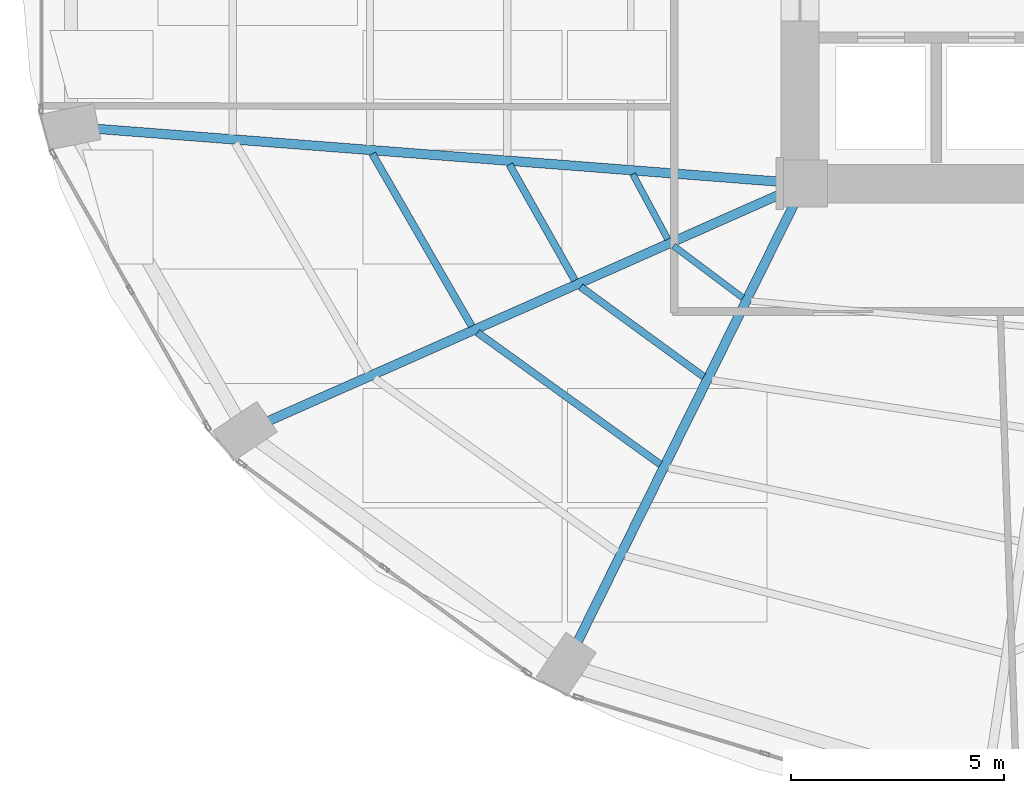
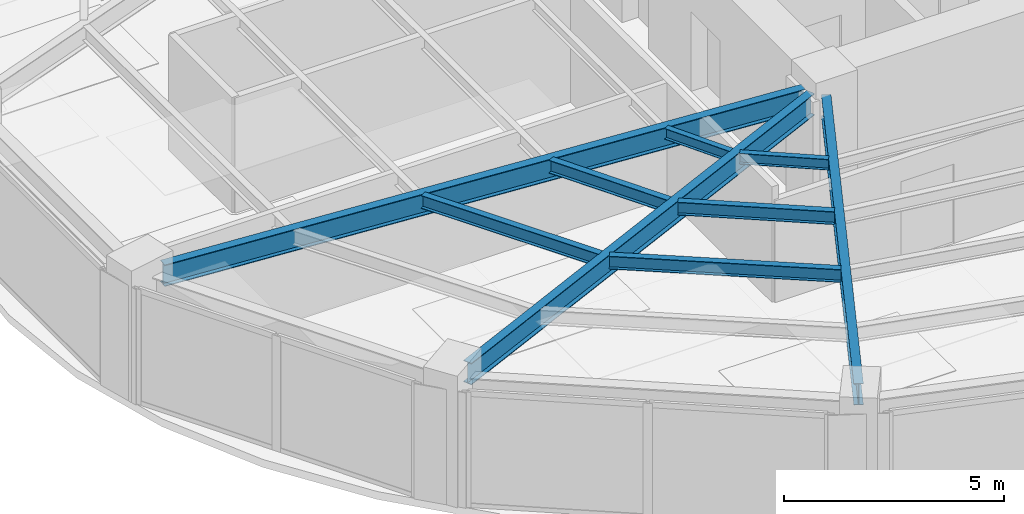
# One storey, part 4 of 24: 9 beams.
"""IFC4 building model written with IfcOpenShell, lengths in metres."""

from ifc_helpers import new_model, si_unit, direction, frame, origin, origin_2d, place, context, subcontext, project, spatial, i_section, extrude, material, material_profile, profile_set, type_object, element, save


model = new_model("IFC4")

# Units and contexts
model_context = context("Model", 3, precision=1e-05, world=origin(), true_north=direction((0.0, 1.0)))
body_context = subcontext(model_context, "Body", "Model", "MODEL_VIEW")
ifc_project = project(units=[si_unit("LENGTHUNIT", "METRE"), si_unit("AREAUNIT", "SQUARE_METRE"), si_unit("VOLUMEUNIT", "CUBIC_METRE"), si_unit("PLANEANGLEUNIT", "RADIAN"), si_unit("MASSUNIT", "GRAM", prefix="KILO")], contexts=[model_context])

# Site, building, storey
site_placement = place(None, origin())
site = spatial("IfcSite", under=ifc_project, at=site_placement, CompositionType="ELEMENT")
building_placement = place(site_placement, origin())
building = spatial("IfcBuilding", under=site, at=building_placement, Name="Lazwardi Medical Tower", CompositionType="ELEMENT")
storey_placement = place(building_placement, frame((0.0, 0.0, 72.6240234375)))
storey = spatial("IfcBuildingStorey", under=building, at=storey_placement, Name="L18", CompositionType="ELEMENT", Elevation=72.6240234375)

# Beams
ifc_material = material(Name="Steel S355", Category="steel")
ifc_material_profile_1 = material_profile(ifc_material, i_section(OverallWidth=0.219970703125, OverallDepth=0.60009765625, WebThickness=0.011962890625, FlangeThickness=0.01904296875, at=origin_2d()), Name="IPE 600")
ifc_profile_set_1 = profile_set([ifc_material_profile_1], Name="Steel S355")
beam_type_1 = type_object("IfcBeamType", Name="BM-RG-W1", PredefinedType="BEAM", material=ifc_profile_set_1)
beam_1_placement = place(storey_placement, frame((9.7783203125, 21.6875, 2.89794921875), z_axis=(0.997013942066, -0.077221754231, 0.0), x_axis=(0.077221754231, 0.997013942066, 0.0)))
element("IfcBeam", 1, at=beam_1_placement, inside=storey, type_object=beam_type_1, Name="Radial girder RG-02 R13 L18", PredefinedType="BEAM", context=body_context, shape_type="SweptSolid", body=[
    extrude(i_section(OverallWidth=0.219970703125, OverallDepth=0.60009765625, WebThickness=0.011962890625, FlangeThickness=0.01904296875, at=origin_2d()), origin(), (0.0, 0.0, 1.0), 16.136474609375),
])
beam_2_placement = place(storey_placement, frame((13.810302734375, 14.82080078125, 2.89794921875), z_axis=(0.914252189566, 0.405145571214, 0.0), x_axis=(-0.405145571214, 0.914252189566, 0.0)))
element("IfcBeam", 2, at=beam_2_placement, inside=storey, type_object=beam_type_1, Name="Radial girder RG-02 R14 L18", PredefinedType="BEAM", context=body_context, shape_type="SweptSolid", body=[
    extrude(i_section(OverallWidth=0.219970703125, OverallDepth=0.60009765625, WebThickness=0.011962890625, FlangeThickness=0.01904296875, at=origin_2d()), origin(), (0.0, 0.0, 1.0), 13.235595703125),
])
beam_3_placement = place(storey_placement, frame((21.076171875, 9.635986328125, 2.89794921875), z_axis=(0.443336723706, 0.896355146922, 0.0), x_axis=(-0.896355146922, 0.443336723706, 0.0)))
element("IfcBeam", 3, at=beam_3_placement, inside=storey, type_object=beam_type_1, Name="Radial girder RG-02 R15 L18", PredefinedType="BEAM", context=body_context, shape_type="SweptSolid", body=[
    extrude(i_section(OverallWidth=0.219970703125, OverallDepth=0.60009765625, WebThickness=0.011962890625, FlangeThickness=0.01904296875, at=origin_2d()), origin(), (0.0, 0.0, 1.0), 11.4736328125),
])
ifc_material_profile_2 = material_profile(ifc_material, i_section(OverallWidth=0.169921875, OverallDepth=0.360107421875, WebThickness=0.008056640625, FlangeThickness=0.0126953125, at=origin_2d()), Name="IPE 360")
ifc_profile_set_2 = profile_set([ifc_material_profile_2], Name="Steel S355")
beam_type_2 = type_object("IfcBeamType", Name="BM-SJ-02", PredefinedType="JOIST", material=ifc_profile_set_2)
beam_4_placement = place(storey_placement, frame((16.26611328125, 21.09814453125, 3.01806640625), z_axis=(0.499785866494, -0.866148998529, 0.0), x_axis=(0.866148998529, 0.499785866494, 0.0)))
element("IfcBeam", 4, at=beam_4_placement, inside=storey, type_object=beam_type_2, Name="Secondary joist SJ-02 R2 B13 L18", PredefinedType="JOIST", context=body_context, shape_type="SweptSolid", body=[
    extrude(i_section(OverallWidth=0.169921875, OverallDepth=0.360107421875, WebThickness=0.008056640625, FlangeThickness=0.0126953125, at=origin_2d()), origin(), (0.0, 0.0, 1.0), 4.666015625),
])
beam_5_placement = place(storey_placement, frame((18.73583984375, 16.904296875, 3.01806640625), z_axis=(0.811142764961, -0.584848198127, 0.0), x_axis=(0.584848198127, 0.811142764961, 0.0)))
element("IfcBeam", 5, at=beam_5_placement, inside=storey, type_object=beam_type_2, Name="Secondary joist SJ-02 R2 B14 L18", PredefinedType="JOIST", context=body_context, shape_type="SweptSolid", body=[
    extrude(i_section(OverallWidth=0.169921875, OverallDepth=0.360107421875, WebThickness=0.008056640625, FlangeThickness=0.0126953125, at=origin_2d()), origin(), (0.0, 0.0, 1.0), 5.28857421875),
])
beam_6_placement = place(storey_placement, frame((19.48291015625, 20.848388671875, 3.01806640625), z_axis=(0.491923287977, -0.870638546554, 0.0), x_axis=(0.870638546554, 0.491923287977, 0.0)))
element("IfcBeam", 6, at=beam_6_placement, inside=storey, type_object=beam_type_2, Name="Secondary joist SJ-02 R3 B13 L18", PredefinedType="JOIST", context=body_context, shape_type="SweptSolid", body=[
    extrude(i_section(OverallWidth=0.169921875, OverallDepth=0.360107421875, WebThickness=0.008056640625, FlangeThickness=0.0126953125, at=origin_2d()), origin(), (0.0, 0.0, 1.0), 3.122802734375),
])
beam_7_placement = place(storey_placement, frame((21.155517578125, 17.976318359375, 3.01806640625), z_axis=(0.80770129933, -0.589591902132, 0.0), x_axis=(0.589591902132, 0.80770129933, 0.0)))
element("IfcBeam", 7, at=beam_7_placement, inside=storey, type_object=beam_type_2, Name="Secondary joist SJ-02 R3 B14 L18", PredefinedType="JOIST", context=body_context, shape_type="SweptSolid", body=[
    extrude(i_section(OverallWidth=0.169921875, OverallDepth=0.360107421875, WebThickness=0.008056640625, FlangeThickness=0.0126953125, at=origin_2d()), origin(), (0.0, 0.0, 1.0), 3.5751953125),
])
ifc_material_profile_3 = material_profile(ifc_material, i_section(OverallWidth=0.14990234375, OverallDepth=0.300048828125, WebThickness=0.007080078125, FlangeThickness=0.0107421875, at=origin_2d()), Name="IPE 300")
ifc_profile_set_3 = profile_set([ifc_material_profile_3], Name="Steel S355")
beam_type_3 = type_object("IfcBeamType", Name="BM-SJ-03", PredefinedType="JOIST", material=ifc_profile_set_3)
beam_8_placement = place(storey_placement, frame((22.376953125, 20.623046875, 3.048095703125), z_axis=(0.473982292828, -0.880534375301, 0.0), x_axis=(0.880534375301, 0.473982292828, 0.0)))
element("IfcBeam", 8, at=beam_8_placement, inside=storey, type_object=beam_type_3, Name="Secondary joist SJ-03 R4 B13 L18", PredefinedType="JOIST", context=body_context, shape_type="SweptSolid", body=[
    extrude(i_section(OverallWidth=0.14990234375, OverallDepth=0.300048828125, WebThickness=0.007080078125, FlangeThickness=0.0107421875, at=origin_2d()), origin(), (0.0, 0.0, 1.0), 1.734375),
])
beam_9_placement = place(storey_placement, frame((23.332763671875, 18.9404296875, 3.048095703125), z_axis=(0.800115247939, -0.599846305328, 0.0), x_axis=(0.599846305328, 0.800115247939, 0.0)))
element("IfcBeam", 9, at=beam_9_placement, inside=storey, type_object=beam_type_3, Name="Secondary joist SJ-03 R4 B14 L18", PredefinedType="JOIST", context=body_context, shape_type="SweptSolid", body=[
    extrude(i_section(OverallWidth=0.14990234375, OverallDepth=0.300048828125, WebThickness=0.007080078125, FlangeThickness=0.0107421875, at=origin_2d()), origin(), (0.0, 0.0, 1.0), 2.033447265625),
])

save(model, "model.ifc")
